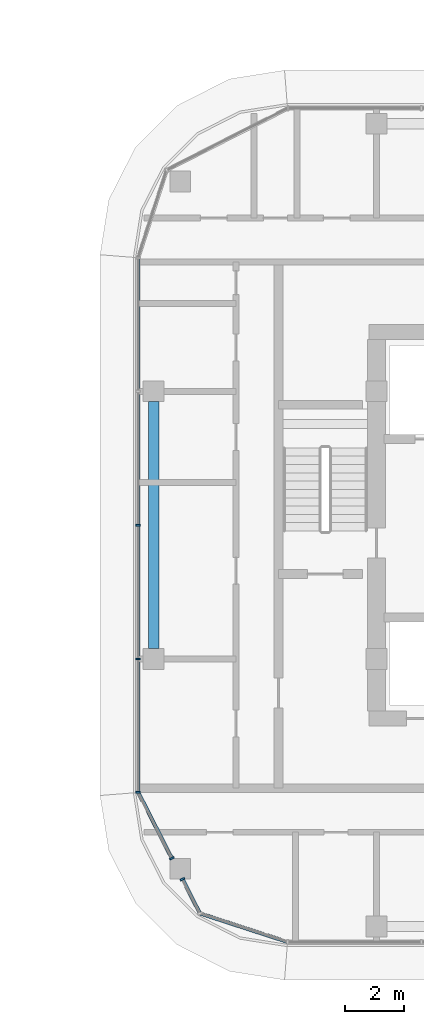
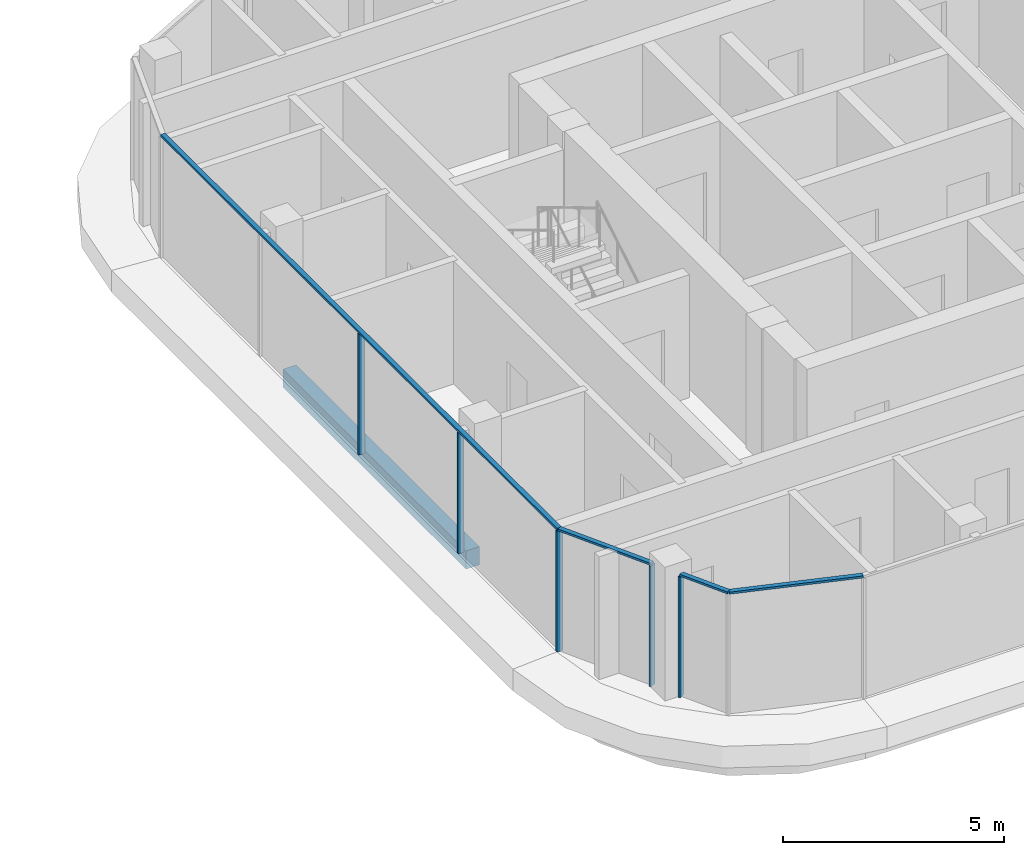
# One storey, part 7 of 33: 9 members, 1 beam, 3 elements without a shape of their own.
"""IFC4 building model written with IfcOpenShell, lengths in metres."""

from ifc_helpers import new_model, si_unit, direction, frame, origin, origin_2d, place, context, subcontext, project, spatial, rectangle, extrude, material, material_profile, profile_set, type_object, element, aggregate, save


model = new_model("IFC4")

# Units and contexts
model_context = context("Model", 3, precision=1e-05, world=origin(), true_north=direction((0.0, 1.0)))
body_context = subcontext(model_context, "Body", "Model", "MODEL_VIEW")
ifc_project = project(units=[si_unit("LENGTHUNIT", "METRE"), si_unit("AREAUNIT", "SQUARE_METRE"), si_unit("VOLUMEUNIT", "CUBIC_METRE"), si_unit("PLANEANGLEUNIT", "RADIAN"), si_unit("MASSUNIT", "GRAM", prefix="KILO")], contexts=[model_context])

# Site, building, storey
site_placement = place(None, origin())
site = spatial("IfcSite", under=ifc_project, at=site_placement, CompositionType="ELEMENT")
building_placement = place(site_placement, origin())
building = spatial("IfcBuilding", under=site, at=building_placement, Name="Ogive Portal Towers", CompositionType="ELEMENT")
storey_placement = place(building_placement, frame((0.0, 0.0, 98.199951171875)))
storey = spatial("IfcBuildingStorey", under=building, at=storey_placement, Name="L23", CompositionType="ELEMENT", Elevation=98.199951171875)

# Curtain wall, members
ifc_material_1 = material(Name="Glass, clear low-iron insulated glazing", Category="glass")
curtain_wall_type = type_object("IfcCurtainWallType", Name="CW RESIDENCES RIBBON", PredefinedType="NOTDEFINED", material=ifc_material_1)
curtain_wall_1_placement = place(storey_placement, origin())
curtain_wall_1 = element("IfcCurtainWall", 1, at=curtain_wall_1_placement, inside=storey, type_object=curtain_wall_type, Name="B:L23:f11:cw0", PredefinedType="NOTDEFINED")
ifc_material_2 = material(Name="Aluminium 6063 anodised", Category="aluminium")
ifc_material_profile_1 = material_profile(ifc_material_2, rectangle(XDim=0.159912109375, YDim=0.06005859375, at=origin_2d()), Name="AL 60x160")
ifc_profile_set_1 = profile_set([ifc_material_profile_1], Name="Aluminium 6063 anodised")
member_type_1 = type_object("IfcMemberType", Name="CW MULLION 60x160", PredefinedType="MULLION", material=ifc_profile_set_1)
member_1_placement = place(storey_placement, frame((120.97998046875, 31.0, 0.0), z_axis=(0.0, 0.0, 1.0), x_axis=(1.0, 0.0, 0.0)))
member_1 = element("IfcMember", 2, at=member_1_placement, type_object=member_type_1, Name="mullion", PredefinedType="MULLION", context=body_context, shape_type="SweptSolid", body=[
    extrude(rectangle(XDim=0.159912109375, YDim=0.06005859375, at=origin_2d()), origin(), (0.0, 0.0, 1.0), 3.340087890625),
])
member_2_placement = place(storey_placement, frame((120.97998046875, 26.5, 0.0), z_axis=(0.0, 0.0, 1.0), x_axis=(1.0, 0.0, 0.0)))
member_2 = element("IfcMember", 3, at=member_2_placement, type_object=member_type_1, Name="mullion", PredefinedType="MULLION", context=body_context, shape_type="SweptSolid", body=[
    extrude(rectangle(XDim=0.159912109375, YDim=0.06005859375, at=origin_2d()), origin(), (0.0, 0.0, 1.0), 3.340087890625),
])
member_3_placement = place(storey_placement, frame((120.97998046875, 22.019287109375, 0.0), z_axis=(0.0, 0.0, 1.0), x_axis=(1.0, 0.0, 0.0)))
member_3 = element("IfcMember", 4, at=member_3_placement, type_object=member_type_1, Name="mullion", PredefinedType="MULLION", context=body_context, shape_type="SweptSolid", body=[
    extrude(rectangle(XDim=0.159912109375, YDim=0.06005859375, at=origin_2d()), origin(), (0.0, 0.0, 1.0), 3.340087890625),
])

# Curtain wall, member
curtain_wall_2_placement = place(storey_placement, origin())
curtain_wall_2 = element("IfcCurtainWall", 5, at=curtain_wall_2_placement, inside=storey, type_object=curtain_wall_type, Name="B:L23:f00:cwa~0", PredefinedType="NOTDEFINED")
member_4_placement = place(storey_placement, frame((122.11474609375, 19.7919921875, 0.0), z_axis=(0.0, 0.0, 1.0), x_axis=(0.891006524188, 0.45399049974, 0.0)))
member_4 = element("IfcMember", 6, at=member_4_placement, type_object=member_type_1, Name="mullion", PredefinedType="MULLION", context=body_context, shape_type="SweptSolid", body=[
    extrude(rectangle(XDim=0.159912109375, YDim=0.06005859375, at=origin_2d()), origin(), (0.0, 0.0, 1.0), 3.340087890625),
])

curtain_wall_3_placement = place(storey_placement, origin())
curtain_wall_3 = element("IfcCurtainWall", 7, at=curtain_wall_3_placement, inside=storey, type_object=curtain_wall_type, Name="B:L23:f00:cwa~1", PredefinedType="NOTDEFINED")
member_5_placement = place(storey_placement, frame((122.471435546875, 19.092041015625, 0.0), z_axis=(0.0, 0.0, 1.0), x_axis=(0.891006524188, 0.45399049974, 0.0)))
member_5 = element("IfcMember", 8, at=member_5_placement, type_object=member_type_1, Name="mullion", PredefinedType="MULLION", context=body_context, shape_type="SweptSolid", body=[
    extrude(rectangle(XDim=0.159912109375, YDim=0.06005859375, at=origin_2d()), origin(), (0.0, 0.0, 1.0), 3.340087890625),
])

# Member
ifc_material_profile_2 = material_profile(ifc_material_2, rectangle(XDim=0.1201171875, YDim=0.06005859375, at=origin_2d()), Name="AL 120x60")
ifc_profile_set_2 = profile_set([ifc_material_profile_2], Name="Aluminium 6063 anodised")
member_type_2 = type_object("IfcMemberType", Name="CW TRANSOM 60x120", PredefinedType="USERDEFINED", material=ifc_profile_set_2)
member_6_placement = place(storey_placement, frame((120.97998046875, 39.9873046875, 3.3701171875), z_axis=(0.0, -1.0, 0.0), x_axis=(1.0, 0.0, 0.0)))
member_6 = element("IfcMember", 9, at=member_6_placement, type_object=member_type_2, Name="transom", ObjectType="TRANSOM", PredefinedType="USERDEFINED", context=body_context, shape_type="SweptSolid", body=[
    extrude(rectangle(XDim=0.1201171875, YDim=0.06005859375, at=origin_2d()), origin(), (0.0, 0.0, 1.0), 17.968017578125),
])

aggregate(curtain_wall_1, [member_6, member_1, member_2, member_3])

member_7_placement = place(storey_placement, frame((120.97998046875, 22.019287109375, 3.3701171875), z_axis=(0.453959432004, -0.891022353308, 0.0), x_axis=(0.891022353308, 0.453959432004, 0.0)))
member_7 = element("IfcMember", 10, at=member_7_placement, type_object=member_type_2, Name="transom", ObjectType="TRANSOM", PredefinedType="USERDEFINED", context=body_context, shape_type="SweptSolid", body=[
    extrude(rectangle(XDim=0.1201171875, YDim=0.06005859375, at=origin_2d()), origin(), (0.0, 0.0, 1.0), 2.499755859375),
])

aggregate(curtain_wall_2, [member_7, member_4])

member_8_placement = place(storey_placement, frame((122.471435546875, 19.092041015625, 3.3701171875), z_axis=(0.454072847858, -0.890964560933, 0.0), x_axis=(0.890964560933, 0.454072847858, 0.0)))
member_8 = element("IfcMember", 11, at=member_8_placement, type_object=member_type_2, Name="transom", ObjectType="TRANSOM", PredefinedType="USERDEFINED", context=body_context, shape_type="SweptSolid", body=[
    extrude(rectangle(XDim=0.1201171875, YDim=0.06005859375, at=origin_2d()), origin(), (0.0, 0.0, 1.0), 1.293212890625),
])

member_9_placement = place(storey_placement, frame((123.05859375, 17.93994140625, 3.3701171875), z_axis=(0.951045620181, -0.309050527153, 0.0), x_axis=(0.309050527153, 0.951045620181, 0.0)))
member_9 = element("IfcMember", 12, at=member_9_placement, type_object=member_type_2, Name="transom", ObjectType="TRANSOM", PredefinedType="USERDEFINED", context=body_context, shape_type="SweptSolid", body=[
    extrude(rectangle(XDim=0.1201171875, YDim=0.06005859375, at=origin_2d()), origin(), (0.0, 0.0, 1.0), 3.106201171875),
])

aggregate(curtain_wall_3, [member_8, member_9, member_5])

# Beam
ifc_material_3 = material(Name="Concrete C50/60", Category="concrete")
ifc_material_profile_3 = material_profile(ifc_material_3, rectangle(XDim=0.35009765625, YDim=0.5, at=origin_2d()), Name="RC 350x500")
ifc_profile_set_3 = profile_set([ifc_material_profile_3], Name="Concrete C50/60")
beam_type = type_object("IfcBeamType", Name="SPANDREL BEAM RC 350x500", PredefinedType="BEAM", material=ifc_profile_set_3)
beam_placement = place(storey_placement, frame((121.5, 35.14990234375, -0.550048828125), z_axis=(0.0, -1.0, 0.0), x_axis=(1.0, 0.0, 0.0)))
element("IfcBeam", 13, at=beam_placement, inside=storey, type_object=beam_type, Name="Spandrel beam L23", PredefinedType="BEAM", context=body_context, shape_type="SweptSolid", body=[
    extrude(rectangle(XDim=0.35009765625, YDim=0.5, at=origin_2d()), origin(), (0.0, 0.0, 1.0), 8.2998046875),
])

save(model, "model.ifc")
